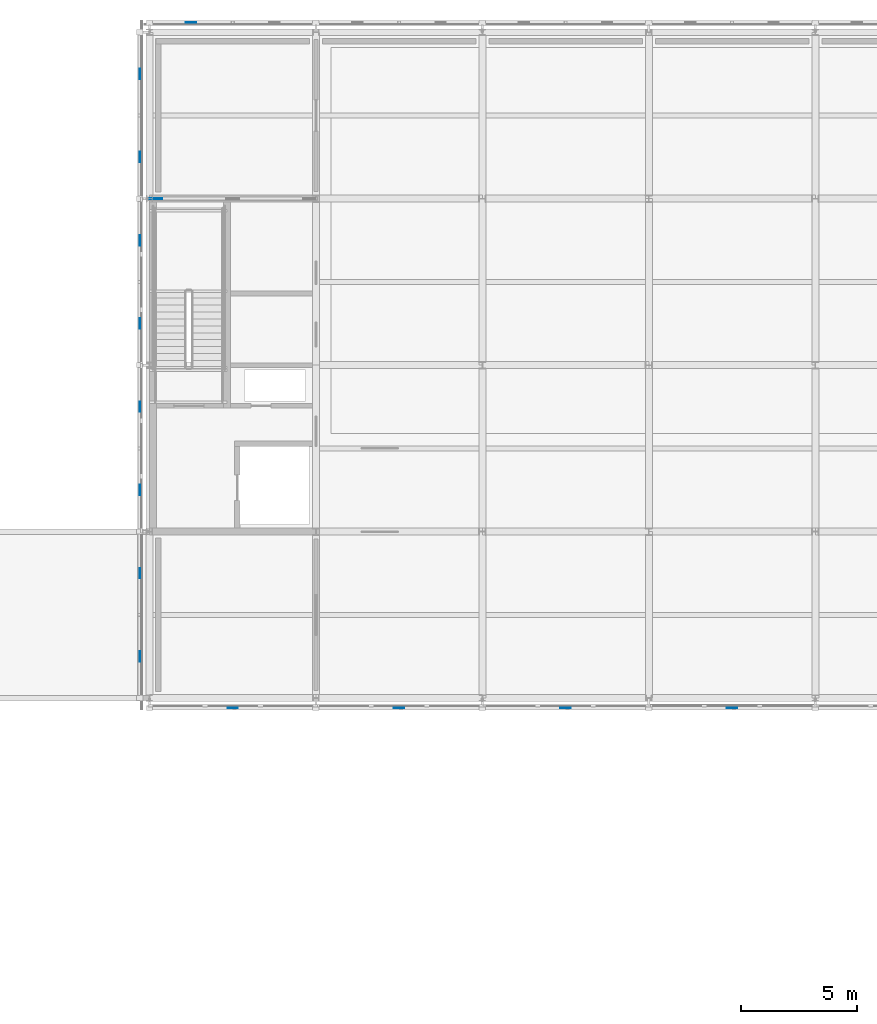
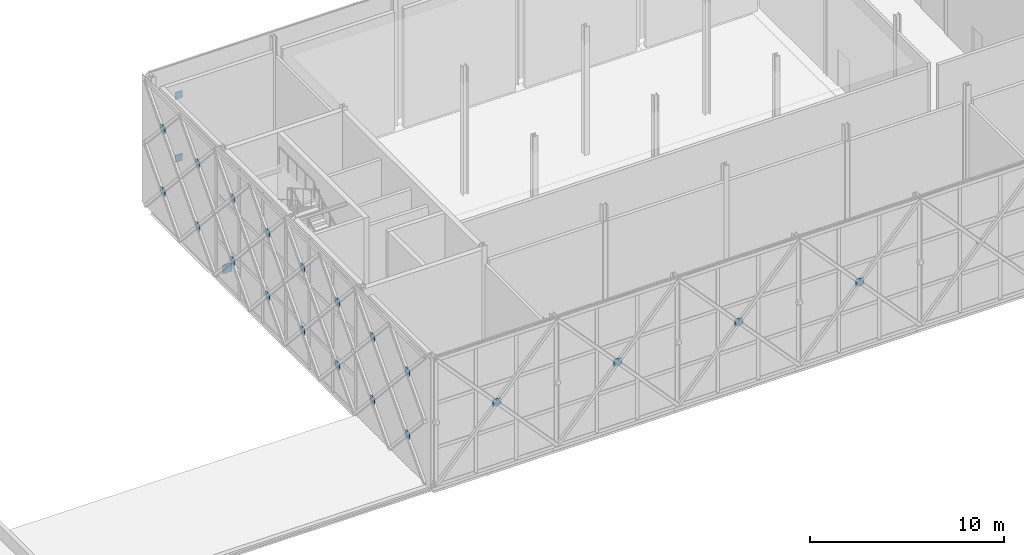
# One storey, part 63 of 76: 23 plates.
"""IFC4 building model written with IfcOpenShell, lengths in metres."""

from ifc_helpers import new_model, si_unit, direction, frame, origin, origin_2d, place, context, subcontext, project, spatial, rectangle, extrude, material, layer, layer_set, type_object, element, save


model = new_model("IFC4")

# Units and contexts
model_context = context("Model", 3, precision=1e-05, world=origin(), true_north=direction((0.0, 1.0)))
body_context = subcontext(model_context, "Body", "Model", "MODEL_VIEW")
ifc_project = project(units=[si_unit("LENGTHUNIT", "METRE"), si_unit("AREAUNIT", "SQUARE_METRE"), si_unit("VOLUMEUNIT", "CUBIC_METRE"), si_unit("PLANEANGLEUNIT", "RADIAN"), si_unit("MASSUNIT", "GRAM", prefix="KILO")], contexts=[model_context])

# Site, building, storey
site_placement = place(None, origin())
site = spatial("IfcSite", under=ifc_project, at=site_placement, CompositionType="ELEMENT")
building_placement = place(site_placement, origin())
building = spatial("IfcBuilding", under=site, at=building_placement, Name="Zlatovets Crest Museum", CompositionType="ELEMENT")
storey_placement = place(building_placement, frame((0.0, 0.0, 17.10009765625)))
storey = spatial("IfcBuildingStorey", under=building, at=storey_placement, Name="L04", CompositionType="ELEMENT", Elevation=17.10009765625)

# Plates
ifc_material = material(Name="Structural steel S355J2", Category="steel")
ifc_layer_1 = layer(ifc_material, 0.02490234375)
ifc_layer_set_1 = layer_set([ifc_layer_1], Name="Structural steel S355J2")
plate_type_1 = type_object("IfcPlateType", Name="Gusset_GP-01", PredefinedType="USERDEFINED", material=ifc_layer_set_1)
plate_placement = place(storey_placement, frame((57.8798828125, 108.0, 0.0048828125), z_axis=(0.0, 0.0, 1.0), x_axis=(1.0, 0.0, 0.0)))
element("IfcPlate", 1, at=plate_placement, inside=storey, type_object=plate_type_1, Name="V1 L04 Brace End Gusset Plate GP-01", ObjectType="GUSSET", PredefinedType="USERDEFINED", context=body_context, shape_type="SweptSolid", body=[
    extrude(rectangle(XDim=0.550048828125, YDim=0.02490234375, at=origin_2d()), origin(), (0.0, 0.0, 1.0), 0.550048828125),
])
ifc_layer_2 = layer(ifc_material, 0.02001953125)
ifc_layer_set_2 = layer_set([ifc_layer_2], Name="Structural steel S355J2")
plate_type_2 = type_object("IfcPlateType", Name="Gusset_GP-04", PredefinedType="USERDEFINED", material=ifc_layer_set_2)
for number, where, z_axis, x_axis, name in (
    (2, (61.199951171875, 85.97998046875, 3.82470703125), (0.0, 0.0, 1.0), (1.0, 0.0, 0.0), "X-Brace Crossing Node Gusset Plate GP-04"),
    (3, (68.39990234375, 85.97998046875, 3.82470703125), (0.0, 0.0, 1.0), (1.0, 0.0, 0.0), "X-Brace Crossing Node Gusset Plate GP-04"),
    (4, (75.60009765625, 85.97998046875, 3.82470703125), (0.0, 0.0, 1.0), (1.0, 0.0, 0.0), "X-Brace Crossing Node Gusset Plate GP-04"),
    (5, (82.800048828125, 85.97998046875, 3.82470703125), (0.0, 0.0, 1.0), (1.0, 0.0, 0.0), "X-Brace Crossing Node Gusset Plate GP-04"),
    (6, (59.39990234375, 115.6201171875, 1.85009765625), (0.0, 0.0, 1.0), (1.0, 0.0, 0.0), "X-Brace Crossing Node Gusset Plate GP-04"),
    (7, (59.39990234375, 115.6201171875, 5.7998046875), (0.0, 0.0, 1.0), (1.0, 0.0, 0.0), "X-Brace Crossing Node Gusset Plate GP-04"),
):
    element("IfcPlate", number, at=place(storey_placement, frame(where, z_axis=z_axis, x_axis=x_axis)), inside=storey, type_object=plate_type_2, Name=name, ObjectType="GUSSET", PredefinedType="USERDEFINED", context=body_context, shape_type="SweptSolid", body=[
        extrude(rectangle(XDim=0.449951171875, YDim=0.02001953125, at=origin_2d()), origin(), (0.0, 0.0, 1.0), 0.449951171875),
    ])
for number, where, z_axis, x_axis, name in (
    (8, (57.179931640625, 113.39990234375, 1.85009765625), (0.0, 0.0, 1.0), (1.0, 0.0, 0.0), "X-Brace Crossing Node Gusset Plate GP-04"),
    (9, (57.179931640625, 109.800048828125, 1.85009765625), (0.0, 0.0, 1.0), (1.0, 0.0, 0.0), "X-Brace Crossing Node Gusset Plate GP-04"),
    (10, (57.179931640625, 113.39990234375, 5.7998046875), (0.0, 0.0, 1.0), (1.0, 0.0, 0.0), "X-Brace Crossing Node Gusset Plate GP-04"),
    (11, (57.179931640625, 109.800048828125, 5.7998046875), (0.0, 0.0, 1.0), (1.0, 0.0, 0.0), "X-Brace Crossing Node Gusset Plate GP-04"),
    (12, (57.179931640625, 106.199951171875, 1.85009765625), (0.0, 0.0, 1.0), (1.0, 0.0, 0.0), "X-Brace Crossing Node Gusset Plate GP-04"),
    (13, (57.179931640625, 102.60009765625, 1.85009765625), (0.0, 0.0, 1.0), (1.0, 0.0, 0.0), "X-Brace Crossing Node Gusset Plate GP-04"),
    (14, (57.179931640625, 106.199951171875, 5.7998046875), (0.0, 0.0, 1.0), (1.0, 0.0, 0.0), "X-Brace Crossing Node Gusset Plate GP-04"),
    (15, (57.179931640625, 102.60009765625, 5.7998046875), (0.0, 0.0, 1.0), (1.0, 0.0, 0.0), "X-Brace Crossing Node Gusset Plate GP-04"),
    (16, (57.179931640625, 99.0, 1.85009765625), (0.0, 0.0, 1.0), (1.0, 0.0, 0.0), "X-Brace Crossing Node Gusset Plate GP-04"),
    (17, (57.179931640625, 95.39990234375, 1.85009765625), (0.0, 0.0, 1.0), (1.0, 0.0, 0.0), "X-Brace Crossing Node Gusset Plate GP-04"),
    (18, (57.179931640625, 99.0, 5.7998046875), (0.0, 0.0, 1.0), (1.0, 0.0, 0.0), "X-Brace Crossing Node Gusset Plate GP-04"),
    (19, (57.179931640625, 95.39990234375, 5.7998046875), (0.0, 0.0, 1.0), (1.0, 0.0, 0.0), "X-Brace Crossing Node Gusset Plate GP-04"),
    (20, (57.179931640625, 91.800048828125, 1.85009765625), (0.0, 0.0, 1.0), (1.0, 0.0, 0.0), "X-Brace Crossing Node Gusset Plate GP-04"),
    (21, (57.179931640625, 88.199951171875, 1.85009765625), (0.0, 0.0, 1.0), (1.0, 0.0, 0.0), "X-Brace Crossing Node Gusset Plate GP-04"),
    (22, (57.179931640625, 91.800048828125, 5.7998046875), (0.0, 0.0, 1.0), (1.0, 0.0, 0.0), "X-Brace Crossing Node Gusset Plate GP-04"),
    (23, (57.179931640625, 88.199951171875, 5.7998046875), (0.0, 0.0, 1.0), (1.0, 0.0, 0.0), "X-Brace Crossing Node Gusset Plate GP-04"),
):
    element("IfcPlate", number, at=place(storey_placement, frame(where, z_axis=z_axis, x_axis=x_axis)), inside=storey, type_object=plate_type_2, Name=name, ObjectType="GUSSET", PredefinedType="USERDEFINED", context=body_context, shape_type="SweptSolid", body=[
        extrude(rectangle(XDim=0.02001953125, YDim=0.449951171875, at=origin_2d()), origin(), (0.0, 0.0, 1.0), 0.449951171875),
    ])

save(model, "model.ifc")
